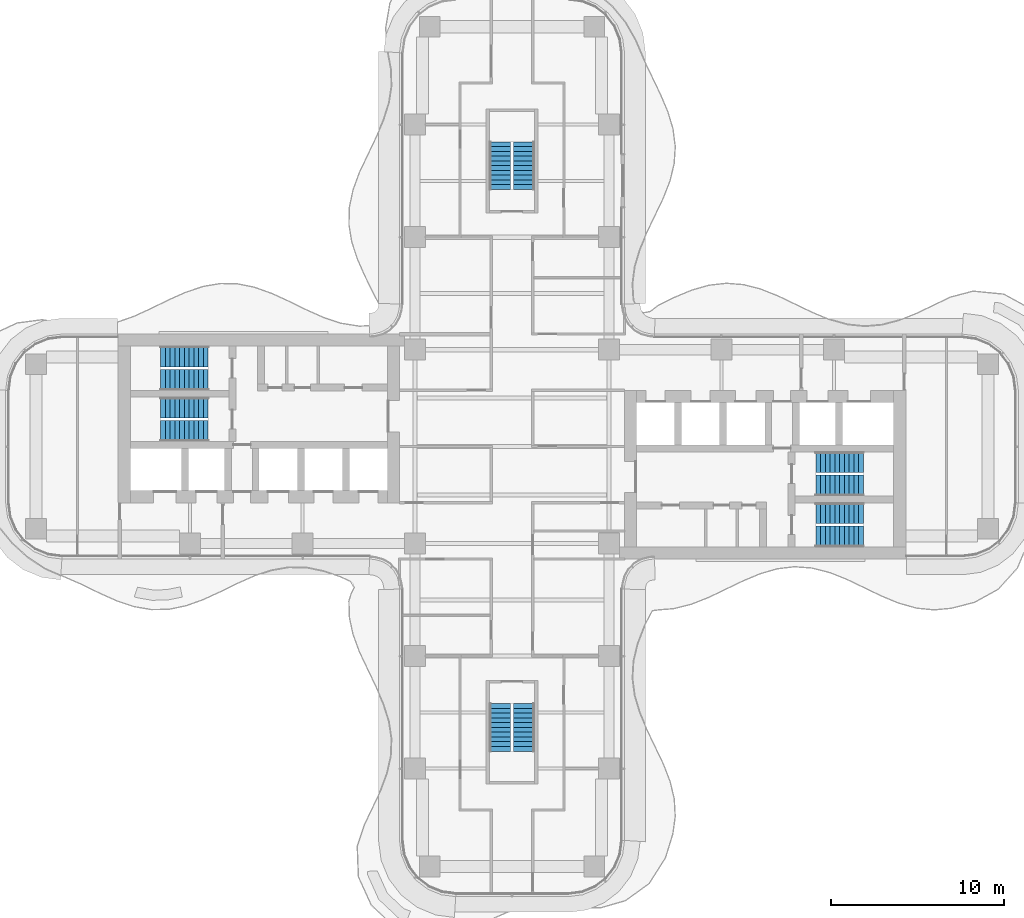
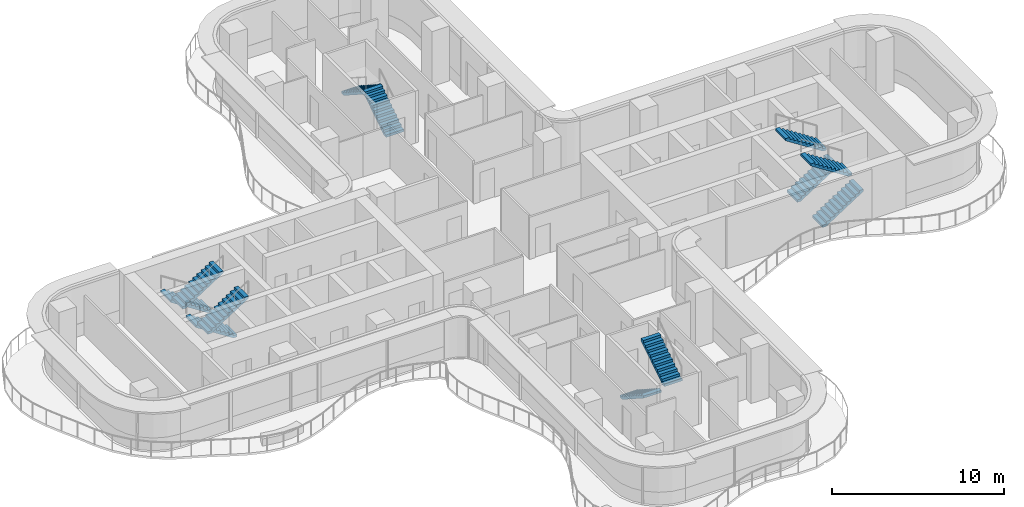
# One storey, part 15 of 17: 12 stair flights, 6 elements without a shape of their own.
"""IFC4 building model written with IfcOpenShell, lengths in metres."""

from ifc_helpers import new_model, si_unit, direction, frame, origin, place, context, subcontext, project, spatial, polyline, outline, extrude, source, transform, mapped, material, type_object, element, aggregate, save


model = new_model("IFC4")

# Units and contexts
model_context = context("Model", 3, precision=1e-05, world=origin(), true_north=direction((0.0, 1.0)))
body_context = subcontext(model_context, "Body", "Model", "MODEL_VIEW")
ifc_project = project(units=[si_unit("LENGTHUNIT", "METRE"), si_unit("AREAUNIT", "SQUARE_METRE"), si_unit("VOLUMEUNIT", "CUBIC_METRE"), si_unit("PLANEANGLEUNIT", "RADIAN"), si_unit("MASSUNIT", "GRAM", prefix="KILO")], contexts=[model_context])

# Site, building, storey
site_placement = place(None, origin())
site = spatial("IfcSite", under=ifc_project, at=site_placement, CompositionType="ELEMENT")
building_placement = place(site_placement, origin())
building = spatial("IfcBuilding", under=site, at=building_placement, Name="Trellis Farm Tower", CompositionType="ELEMENT")
storey_placement = place(building_placement, frame((0.0, 0.0, 173.699951171875)))
storey = spatial("IfcBuildingStorey", under=building, at=storey_placement, Name="L37", CompositionType="ELEMENT", Elevation=173.699951171875)

# Stair, stair flights
ifc_material = material(Name="Concrete C50/60", Category="concrete")
stair_type = type_object("IfcStairType", Name="CORE EXIT STAIR 22 RISERS 177 MM", PredefinedType="HALF_TURN_STAIR", material=ifc_material)
placement = place(storey_placement, origin())
stair_1 = element("IfcStair", 1, at=placement, inside=storey, type_object=stair_type, Name="Exit stair N", PredefinedType="HALF_TURN_STAIR")
stair_flight_type = type_object("IfcStairFlightType", Name="STAIR FLIGHT 11 RISERS 177 MM", PredefinedType="STRAIGHT", material=ifc_material)
shared_shape = source(origin(), body_context, "Body", "SweptSolid", [
    extrude(outline(polyline([(0.0, 0.0), (0.0, 0.17724609375), (0.27490234375, 0.17724609375), (0.27490234375, 0.3544921875), (0.550048828125, 0.3544921875), (0.550048828125, 0.53173828125), (0.824951171875, 0.53173828125), (0.824951171875, 0.708984375), (1.10009765625, 0.708984375), (1.10009765625, 0.886474609375), (1.375, 0.886474609375), (1.375, 1.063720703125), (1.64990234375, 1.063720703125), (1.64990234375, 1.240966796875), (1.925048828125, 1.240966796875), (1.925048828125, 1.418212890625), (2.199951171875, 1.418212890625), (2.199951171875, 1.595458984375), (2.47509765625, 1.595458984375), (2.47509765625, 1.772705078125), (2.75, 1.772705078125), (2.75, 1.949951171875), (2.75, 1.6181640625), (0.23974609375, 0.0), (0.0, 0.0)])), frame((0.0, 0.60009765625, 0.0), z_axis=(0.0, -1.0, 0.0), x_axis=(1.0, 0.0, 0.0)), (0.0, 0.0, 1.0), 1.199951171875),
])
stair_flight_1_placement = place(storey_placement, frame((0.699951171875, 14.85009765625, 0.0), z_axis=(0.0, 0.0, 1.0), x_axis=(0.0, 1.0, 0.0)))
stair_flight_1 = element("IfcStairFlight", 2, at=stair_flight_1_placement, type_object=stair_flight_type, Name="STN flight 1", NumberOfRisers=11, NumberOfTreads=10, PredefinedType="STRAIGHT", RiserHeight=0.177272727, TreadLength=0.275, context=body_context, shape_type="MappedRepresentation", body=[
    mapped(shared_shape, transform((0.0, 0.0, 0.0))),
])
stair_flight_2_placement = place(storey_placement, frame((-0.699951171875, 17.60009765625, 1.949951171875), z_axis=(0.0, 0.0, 1.0), x_axis=(0.0, -1.0, 0.0)))
stair_flight_2 = element("IfcStairFlight", 3, at=stair_flight_2_placement, type_object=stair_flight_type, Name="STN flight 2", NumberOfRisers=11, NumberOfTreads=10, PredefinedType="STRAIGHT", RiserHeight=0.177272727, TreadLength=0.275, context=body_context, shape_type="MappedRepresentation", body=[
    mapped(shared_shape, transform((0.0, 0.0, 0.0))),
])
aggregate(stair_1, [stair_flight_1, stair_flight_2])

stair_2 = element("IfcStair", 4, at=placement, inside=storey, type_object=stair_type, Name="Exit stair S", PredefinedType="HALF_TURN_STAIR")
stair_flight_3_placement = place(storey_placement, frame((-0.699951171875, -14.85009765625, 0.0), z_axis=(0.0, 0.0, 1.0), x_axis=(0.0, -1.0, 0.0)))
stair_flight_3 = element("IfcStairFlight", 5, at=stair_flight_3_placement, type_object=stair_flight_type, Name="STS flight 1", NumberOfRisers=11, NumberOfTreads=10, PredefinedType="STRAIGHT", RiserHeight=0.177272727, TreadLength=0.275, context=body_context, shape_type="MappedRepresentation", body=[
    mapped(shared_shape, transform((0.0, 0.0, 0.0))),
])
stair_flight_4_placement = place(storey_placement, frame((0.699951171875, -17.60009765625, 1.949951171875), z_axis=(0.0, 0.0, 1.0), x_axis=(0.0, 1.0, 0.0)))
stair_flight_4 = element("IfcStairFlight", 6, at=stair_flight_4_placement, type_object=stair_flight_type, Name="STS flight 2", NumberOfRisers=11, NumberOfTreads=10, PredefinedType="STRAIGHT", RiserHeight=0.177272727, TreadLength=0.275, context=body_context, shape_type="MappedRepresentation", body=[
    mapped(shared_shape, transform((0.0, 0.0, 0.0))),
])
aggregate(stair_2, [stair_flight_3, stair_flight_4])

stair_3 = element("IfcStair", 7, at=placement, inside=storey, type_object=stair_type, Name="Exit stair E1", PredefinedType="HALF_TURN_STAIR")
stair_flight_5_placement = place(storey_placement, frame((17.550048828125, -5.199951171875, 0.0), z_axis=(0.0, 0.0, 1.0), x_axis=(1.0, 0.0, 0.0)))
stair_flight_5 = element("IfcStairFlight", 8, at=stair_flight_5_placement, type_object=stair_flight_type, Name="STE1 flight 1", NumberOfRisers=11, NumberOfTreads=10, PredefinedType="STRAIGHT", RiserHeight=0.177272727, TreadLength=0.275, context=body_context, shape_type="MappedRepresentation", body=[
    mapped(shared_shape, transform((0.0, 0.0, 0.0))),
])
stair_flight_6_placement = place(storey_placement, frame((20.300048828125, -3.85009765625, 1.949951171875), z_axis=(0.0, 0.0, 1.0), x_axis=(-1.0, 0.0, 0.0)))
stair_flight_6 = element("IfcStairFlight", 9, at=stair_flight_6_placement, type_object=stair_flight_type, Name="STE1 flight 2", NumberOfRisers=11, NumberOfTreads=10, PredefinedType="STRAIGHT", RiserHeight=0.177272727, TreadLength=0.275, context=body_context, shape_type="MappedRepresentation", body=[
    mapped(shared_shape, transform((0.0, 0.0, 0.0))),
])
aggregate(stair_3, [stair_flight_5, stair_flight_6])

stair_4 = element("IfcStair", 10, at=placement, inside=storey, type_object=stair_type, Name="Exit stair E2", PredefinedType="HALF_TURN_STAIR")
stair_flight_7_placement = place(storey_placement, frame((17.550048828125, -2.25, 0.0), z_axis=(0.0, 0.0, 1.0), x_axis=(1.0, 0.0, 0.0)))
stair_flight_7 = element("IfcStairFlight", 11, at=stair_flight_7_placement, type_object=stair_flight_type, Name="STE2 flight 1", NumberOfRisers=11, NumberOfTreads=10, PredefinedType="STRAIGHT", RiserHeight=0.177272727, TreadLength=0.275, context=body_context, shape_type="MappedRepresentation", body=[
    mapped(shared_shape, transform((0.0, 0.0, 0.0))),
])
stair_flight_8_placement = place(storey_placement, frame((20.300048828125, -0.89990234375, 1.949951171875), z_axis=(0.0, 0.0, 1.0), x_axis=(-1.0, 0.0, 0.0)))
stair_flight_8 = element("IfcStairFlight", 12, at=stair_flight_8_placement, type_object=stair_flight_type, Name="STE2 flight 2", NumberOfRisers=11, NumberOfTreads=10, PredefinedType="STRAIGHT", RiserHeight=0.177272727, TreadLength=0.275, context=body_context, shape_type="MappedRepresentation", body=[
    mapped(shared_shape, transform((0.0, 0.0, 0.0))),
])
aggregate(stair_4, [stair_flight_7, stair_flight_8])

stair_5 = element("IfcStair", 13, at=placement, inside=storey, type_object=stair_type, Name="Exit stair W1", PredefinedType="HALF_TURN_STAIR")
stair_flight_9_placement = place(storey_placement, frame((-17.550048828125, 5.199951171875, 0.0), z_axis=(0.0, 0.0, 1.0), x_axis=(-1.0, 0.0, 0.0)))
stair_flight_9 = element("IfcStairFlight", 14, at=stair_flight_9_placement, type_object=stair_flight_type, Name="STW1 flight 1", NumberOfRisers=11, NumberOfTreads=10, PredefinedType="STRAIGHT", RiserHeight=0.177272727, TreadLength=0.275, context=body_context, shape_type="MappedRepresentation", body=[
    mapped(shared_shape, transform((0.0, 0.0, 0.0))),
])
stair_flight_10_placement = place(storey_placement, frame((-20.300048828125, 3.85009765625, 1.949951171875), z_axis=(0.0, 0.0, 1.0), x_axis=(1.0, 0.0, 0.0)))
stair_flight_10 = element("IfcStairFlight", 15, at=stair_flight_10_placement, type_object=stair_flight_type, Name="STW1 flight 2", NumberOfRisers=11, NumberOfTreads=10, PredefinedType="STRAIGHT", RiserHeight=0.177272727, TreadLength=0.275, context=body_context, shape_type="MappedRepresentation", body=[
    mapped(shared_shape, transform((0.0, 0.0, 0.0))),
])
aggregate(stair_5, [stair_flight_9, stair_flight_10])

stair_6 = element("IfcStair", 16, at=placement, inside=storey, type_object=stair_type, Name="Exit stair W2", PredefinedType="HALF_TURN_STAIR")
stair_flight_11_placement = place(storey_placement, frame((-17.550048828125, 2.25, 0.0), z_axis=(0.0, 0.0, 1.0), x_axis=(-1.0, 0.0, 0.0)))
stair_flight_11 = element("IfcStairFlight", 17, at=stair_flight_11_placement, type_object=stair_flight_type, Name="STW2 flight 1", NumberOfRisers=11, NumberOfTreads=10, PredefinedType="STRAIGHT", RiserHeight=0.177272727, TreadLength=0.275, context=body_context, shape_type="MappedRepresentation", body=[
    mapped(shared_shape, transform((0.0, 0.0, 0.0))),
])
stair_flight_12_placement = place(storey_placement, frame((-20.300048828125, 0.89990234375, 1.949951171875), z_axis=(0.0, 0.0, 1.0), x_axis=(1.0, 0.0, 0.0)))
stair_flight_12 = element("IfcStairFlight", 18, at=stair_flight_12_placement, type_object=stair_flight_type, Name="STW2 flight 2", NumberOfRisers=11, NumberOfTreads=10, PredefinedType="STRAIGHT", RiserHeight=0.177272727, TreadLength=0.275, context=body_context, shape_type="MappedRepresentation", body=[
    mapped(shared_shape, transform((0.0, 0.0, 0.0))),
])
aggregate(stair_6, [stair_flight_11, stair_flight_12])

save(model, "model.ifc")
